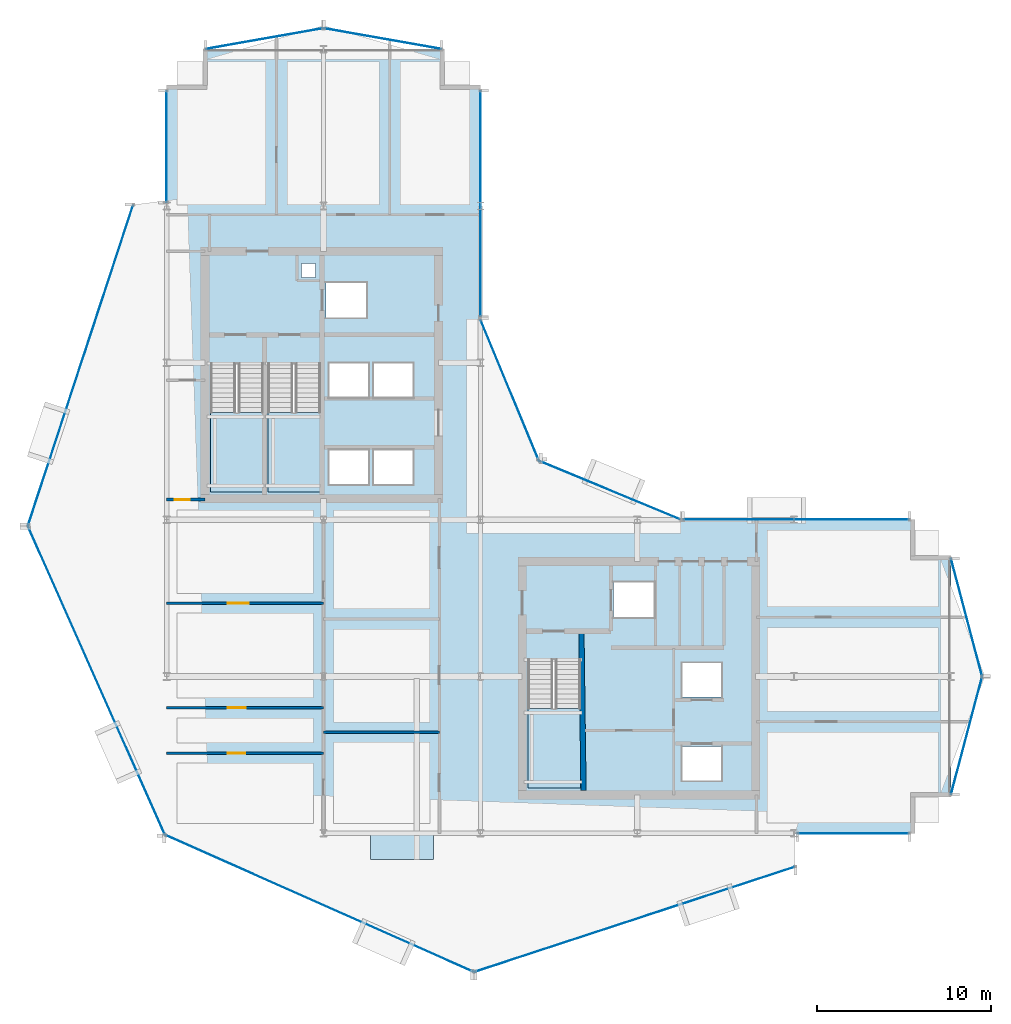
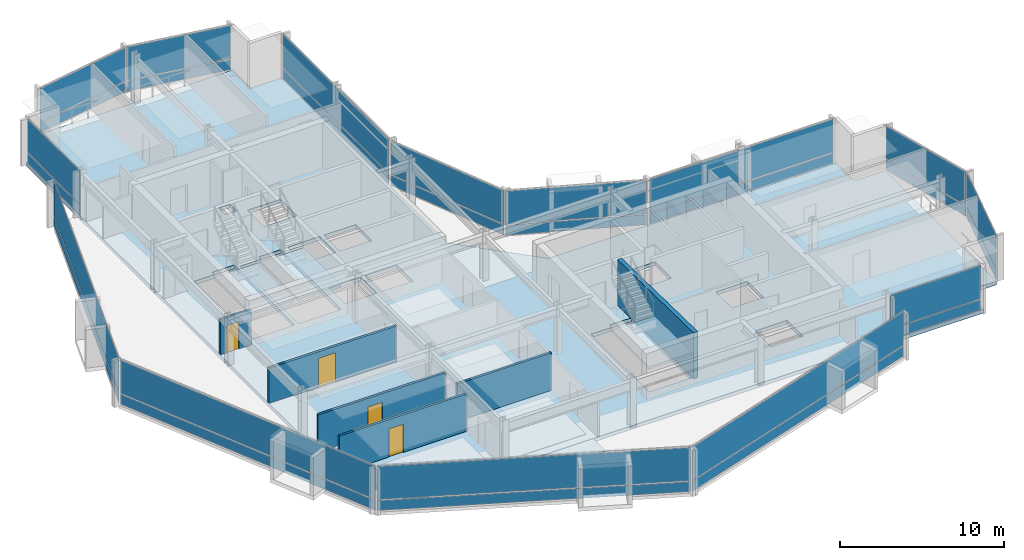
# One storey, part 21 of 29: 28 plates, 6 walls, 5 slabs, 4 doors, 4 openings, 17 elements without a shape of their own.
"""IFC4 building model written with IfcOpenShell, lengths in metres."""

import ifcopenshell
import ifcopenshell.guid

model = None  # the IFC model being written
_history = None  # IfcOwnerHistory: only IFC2X3 demands one
_inside = {}  # id of a spatial element -> (the spatial element, [elements in it])
_under = {}  # id of a project, library or spatial element -> (it, [spatial elements below it])
_declared = {}  # id of a project -> (the project, [libraries it declares])
_typed = {}  # id of a type object -> (the type object, [elements of that type])
_made_of = {}  # id of a material, layer set ... -> (it, [elements and type objects made of it])


def new_model(schema):
    """Start an empty IFC model of exactly this schema.

    Asked for "IFC4X3", IfcOpenShell would pick the latest addendum, in which some entities
    have other attributes; the version numbers below select the first issue.
    IFC2X3 requires an IfcOwnerHistory on every rooted entity: one is made here for all.
    """
    global model, _history
    if schema == "IFC4X3":
        model = ifcopenshell.file(schema_version=(4, 3, 0, 0))
    else:
        model = ifcopenshell.file(schema=schema)
    _inside.clear()
    _under.clear()
    _declared.clear()
    _typed.clear()
    _made_of.clear()
    _history = None
    if model.schema == "IFC2X3":
        org = make("IfcOrganization", Name="unknown")
        user = make(
            "IfcPersonAndOrganization",
            ThePerson=make("IfcPerson", FamilyName="unknown"),
            TheOrganization=org,
        )
        app = make(
            "IfcApplication",
            ApplicationDeveloper=org,
            Version="unknown",
            ApplicationFullName="unknown",
            ApplicationIdentifier="unknown",
        )
        _history = make(
            "IfcOwnerHistory",
            OwningUser=user,
            OwningApplication=app,
            ChangeAction="ADDED",
            CreationDate=0,
        )
    return model


def make(cls, **values):
    """One entity of the class cls with the attributes given. An attribute that is None is left unset."""
    return model.create_entity(
        cls, **{name: value for name, value in values.items() if value is not None}
    )


def rooted(cls, **values):
    """An entity with a GlobalId (a new one), such as an element, a storey or a relation."""
    return make(cls, GlobalId=ifcopenshell.guid.new(), OwnerHistory=_history, **values)


def si_unit(unit_type, name, prefix=None):
    """IfcSIUnit, for example si_unit("LENGTHUNIT", "METRE", prefix="MILLI")."""
    return make("IfcSIUnit", UnitType=unit_type, Prefix=prefix, Name=name)


def assignment(units):
    """IfcUnitAssignment: the units of a project."""
    return None if units is None else make("IfcUnitAssignment", Units=units)


def point(xyz):
    """IfcCartesianPoint."""
    return None if xyz is None else make("IfcCartesianPoint", Coordinates=xyz)


def direction(xyz):
    """IfcDirection."""
    return None if xyz is None else make("IfcDirection", DirectionRatios=xyz)


def frame(location, z_axis=None, x_axis=None):
    """IfcAxis2Placement3D, a coordinate frame: its origin and axes. An axis left out is left unset."""
    return make(
        "IfcAxis2Placement3D",
        Location=point(location),
        Axis=direction(z_axis),
        RefDirection=direction(x_axis),
    )


def frame_2d(location, x_axis=None):
    """IfcAxis2Placement2D, a coordinate frame in the plane: its origin and x axis."""
    return make(
        "IfcAxis2Placement2D", Location=point(location), RefDirection=direction(x_axis)
    )


def origin():
    """The frame at (0, 0, 0) with its axes left unset."""
    return frame((0.0, 0.0, 0.0))


def origin_2d():
    """The frame at (0, 0) in the plane with its x axis left unset."""
    return frame_2d((0.0, 0.0))


def place(relative_to, where):
    """IfcLocalPlacement: puts the frame where relative to a parent placement (None: the world)."""
    return make(
        "IfcLocalPlacement", PlacementRelTo=relative_to, RelativePlacement=where
    )


def context(
    kind, dimensions, precision=None, world=None, true_north=None, identifier=None
):
    """IfcGeometricRepresentationContext, for example the 3D "Model" context."""
    return make(
        "IfcGeometricRepresentationContext",
        ContextIdentifier=identifier,
        ContextType=kind,
        CoordinateSpaceDimension=dimensions,
        Precision=precision,
        WorldCoordinateSystem=world,
        TrueNorth=true_north,
    )


def subcontext(parent, identifier, kind, view, scale=None):
    """IfcGeometricRepresentationSubContext, for example "Body" below "Model"."""
    return make(
        "IfcGeometricRepresentationSubContext",
        ContextIdentifier=identifier,
        ContextType=kind,
        ParentContext=parent,
        TargetScale=scale,
        TargetView=view,
    )


def project(units=None, contexts=None):
    """IfcProject with its units and contexts."""
    return rooted(
        "IfcProject",
        Name="project",
        RepresentationContexts=contexts,
        UnitsInContext=assignment(units),
    )


def spatial(cls, under=None, at=None, **own):
    """A site, building, storey or space (cls), placed at a placement, below another one or the project."""
    s = rooted(cls, ObjectPlacement=at, **own)
    if under is not None:
        _under.setdefault(under.id(), (under, []))[1].append(s)
    return s


def polyline(points):
    """IfcPolyline through the points."""
    return make("IfcPolyline", Points=[point(p) for p in points])


def profile(cls, at=None, kind="AREA", **sizes):
    """A parametric profile (cls). Its sizes go by their IFC names, for example OverallWidth=200.0."""
    return make(cls, ProfileType=kind, Position=at, **sizes)


def rectangle(**sizes):
    """IfcRectangleProfileDef."""
    return profile("IfcRectangleProfileDef", **sizes)


def outline(outer, holes=None, kind="AREA"):
    """IfcArbitraryClosedProfileDef: a profile drawn as a closed curve; with holes, ...WithVoids."""
    if holes is None:
        return make("IfcArbitraryClosedProfileDef", ProfileType=kind, OuterCurve=outer)
    return make(
        "IfcArbitraryProfileDefWithVoids",
        ProfileType=kind,
        OuterCurve=outer,
        InnerCurves=holes,
    )


def extrude(swept, where, along, depth):
    """IfcExtrudedAreaSolid: the profile swept, set in the frame where, extruded along a direction by depth."""
    return make(
        "IfcExtrudedAreaSolid",
        SweptArea=swept,
        Position=where,
        ExtrudedDirection=direction(along),
        Depth=depth,
    )


def shape(context_of_items, identifier, shape_type, items):
    """IfcShapeRepresentation: the items that make up one representation, for example the "Body"."""
    return make(
        "IfcShapeRepresentation",
        ContextOfItems=context_of_items,
        RepresentationIdentifier=identifier,
        RepresentationType=shape_type,
        Items=items,
    )


def material(Name=None, Category=None):
    """IfcMaterial."""
    return make("IfcMaterial", Name=Name, Category=Category)


def layer(
    of_material, thickness, ventilated=None, Name=None, Category=None, Priority=None
):
    """IfcMaterialLayer: one layer of a wall or slab, of a material (None: an air gap)."""
    return make(
        "IfcMaterialLayer",
        Material=of_material,
        LayerThickness=thickness,
        IsVentilated=ventilated,
        Name=Name,
        Category=Category,
        Priority=Priority,
    )


def layer_set(layers, Name=None):
    """IfcMaterialLayerSet."""
    return make("IfcMaterialLayerSet", MaterialLayers=layers, LayerSetName=Name)


def made_of(thing, what):
    """Note that an element or type object is made of a material, layer set ...; save() writes the relation."""
    if what is not None:
        _made_of.setdefault(what.id(), (what, []))[1].append(thing)
    return thing


def type_object(cls, material=None, **own):
    """A type object (cls), such as IfcWallType, which elements share."""
    return made_of(rooted(cls, **own), material)


def element(
    cls,
    number,
    at=None,
    inside=None,
    cuts=None,
    type_object=None,
    material=None,
    context=None,
    identifier="Body",
    shape_type=None,
    held_by="IfcProductDefinitionShape",
    body=None,
    shapes=None,
    **own,
):
    """One element of the class cls, such as IfcWall. Its Tag is "e" and its number.

    at: its placement. inside: the storey or other place that contains it. cuts: it is an
    opening in that element (IfcRelVoidsElement). A single representation is given by context,
    identifier, shape_type and body (its items); several are given by shapes. held_by: the class
    of the entity that holds the representations. save() writes the other relations.
    """
    e = rooted(cls, Tag="e%d" % number, ObjectPlacement=at, **own)
    if body is not None:
        shapes = [shape(context, identifier, shape_type, body)]
    if shapes is not None:
        e.Representation = make(held_by, Representations=shapes)
    if inside is not None:
        _inside.setdefault(inside.id(), (inside, []))[1].append(e)
    if cuts is not None:
        rooted(
            "IfcRelVoidsElement", RelatingBuildingElement=cuts, RelatedOpeningElement=e
        )
    if type_object is not None:
        _typed.setdefault(type_object.id(), (type_object, []))[1].append(e)
    return made_of(e, material)


def fill(opening, filler):
    """IfcRelFillsElement: the door or window that sits in an opening."""
    return rooted(
        "IfcRelFillsElement",
        RelatingOpeningElement=opening,
        RelatedBuildingElement=filler,
    )


def aggregate(whole, parts):
    """IfcRelAggregates: a whole, such as a stair, and the parts it consists of."""
    return rooted("IfcRelAggregates", RelatingObject=whole, RelatedObjects=parts)


def save(model, path):
    """Write the relations noted so far, then the file.

    IfcRelAggregates (storeys below a building ...), IfcRelContainedInSpatialStructure (elements
    in a storey), IfcRelDefinesByType, IfcRelAssociatesMaterial and IfcRelDeclares: one each for
    every whole, place, type object, material and project.
    """
    for whole, parts in _under.values():
        aggregate(whole, parts)
    for where, things in _inside.values():
        rooted(
            "IfcRelContainedInSpatialStructure",
            RelatedElements=things,
            RelatingStructure=where,
        )
    for kind, things in _typed.values():
        rooted("IfcRelDefinesByType", RelatedObjects=things, RelatingType=kind)
    for what, things in _made_of.values():
        rooted("IfcRelAssociatesMaterial", RelatedObjects=things, RelatingMaterial=what)
    for by, libraries in _declared.values():
        rooted("IfcRelDeclares", RelatingContext=by, RelatedDefinitions=libraries)
    model.write(path)


model = new_model("IFC4")

# Units and contexts
model_context = context("Model", 3, precision=1e-05, world=origin(), true_north=direction((0.0, 1.0)))
body_context = subcontext(model_context, "Body", "Model", "MODEL_VIEW")
ifc_project = project(units=[si_unit("LENGTHUNIT", "METRE"), si_unit("AREAUNIT", "SQUARE_METRE"), si_unit("VOLUMEUNIT", "CUBIC_METRE"), si_unit("PLANEANGLEUNIT", "RADIAN"), si_unit("MASSUNIT", "GRAM", prefix="KILO")], contexts=[model_context])

# Site, building, storey
site_placement = place(None, origin())
site = spatial("IfcSite", under=ifc_project, at=site_placement, CompositionType="ELEMENT")
building_placement = place(site_placement, origin())
building = spatial("IfcBuilding", under=site, at=building_placement, Name="Solvaryn Broadcast Tower", CompositionType="ELEMENT")
storey_placement = place(building_placement, frame((0.0, 0.0, 161.800048828125)))
storey = spatial("IfcBuildingStorey", under=building, at=storey_placement, Name="L40", CompositionType="ELEMENT", Elevation=161.800048828125)

# Curtain wall, plates
ifc_material_1 = material(Name="Aluminium and Terracotta Unitised Curtain Wall", Category="masonry")
ifc_layer_1 = layer(ifc_material_1, 0.199951171875)
ifc_layer_set_1 = layer_set([ifc_layer_1], Name="CW-SYS2-LOWMID")
curtain_wall_type_1 = type_object("IfcCurtainWallType", Name="CW-SYS2-LOWMID", PredefinedType="NOTDEFINED", material=ifc_layer_set_1)
curtain_wall_1_placement = place(storey_placement, origin())
curtain_wall_1 = element("IfcCurtainWall", 1, at=curtain_wall_1_placement, inside=storey, type_object=curtain_wall_type_1, Name="L40 Curtain Wall DR1", PredefinedType="NOTDEFINED")
ifc_material_2 = material(Name="Kiln-Fired Architectural Terracotta Spandrel", Category="masonry")
ifc_layer_2 = layer(ifc_material_2, 0.048095703125)
ifc_layer_set_2 = layer_set([ifc_layer_2], Name="CW-PNL-TERRACOTTA")
plate_type = type_object("IfcPlateType", Name="CW-PNL-TERRACOTTA", PredefinedType="CURTAIN_PANEL", material=ifc_layer_set_2)
plate_1_placement = place(storey_placement, frame((4.056396484375, 35.8515625, 0.06005859375), z_axis=(0.0, 0.0, 1.0), x_axis=(-0.311646057547, -0.950198260794, 0.0)))
plate_1 = element("IfcPlate", 2, at=plate_1_placement, type_object=plate_type, Name="CWS2 panel 1.1", PredefinedType="CURTAIN_PANEL", context=body_context, shape_type="SweptSolid", body=[
    extrude(rectangle(XDim=19.277099609375, YDim=0.028076171875, at=origin_2d()), origin(), (0.0, 0.0, 1.0), 0.760009765625),
])
plate_2_placement = place(storey_placement, frame((4.056396484375, 35.8515625, 0.8798828125), z_axis=(0.0, 0.0, 1.0), x_axis=(-0.311646057547, -0.950198260794, 0.0)))
plate_2 = element("IfcPlate", 3, at=plate_2_placement, type_object=plate_type, Name="CWS2 panel 1.2", PredefinedType="CURTAIN_PANEL", context=body_context, shape_type="SweptSolid", body=[
    extrude(rectangle(XDim=19.277099609375, YDim=0.028076171875, at=origin_2d()), origin(), (0.0, 0.0, 1.0), 2.47998046875),
])
aggregate(curtain_wall_1, [plate_1, plate_2])

ifc_material_3 = material(Name="Aluminium and Terracotta Unitised Curtain Wall", Category="masonry")
ifc_layer_3 = layer(ifc_material_3, 0.239990234375)
ifc_layer_set_3 = layer_set([ifc_layer_3], Name="CW-SYS3-BAYBOX")
curtain_wall_type_2 = type_object("IfcCurtainWallType", Name="CW-SYS3-BAYBOX", PredefinedType="NOTDEFINED", material=ifc_layer_set_3)
curtain_wall_2_placement = place(storey_placement, origin())
curtain_wall_2 = element("IfcCurtainWall", 4, at=curtain_wall_2_placement, inside=storey, type_object=curtain_wall_type_2, Name="L40 Curtain Wall DR2", PredefinedType="NOTDEFINED")
plate_3_placement = place(storey_placement, frame((4.970947265625, 17.77197265625, 0.06005859375), z_axis=(0.0, 0.0, 1.0), x_axis=(0.405918429309, -0.913909311008, 0.0)))
plate_3 = element("IfcPlate", 5, at=plate_3_placement, type_object=plate_type, Name="CWS3 panel 1.1", PredefinedType="CURTAIN_PANEL", context=body_context, shape_type="SweptSolid", body=[
    extrude(rectangle(XDim=19.278076171875, YDim=0.028076171875, at=origin_2d()), origin(), (0.0, 0.0, 1.0), 0.760009765625),
])
plate_4_placement = place(storey_placement, frame((4.970947265625, 17.77197265625, 0.8798828125), z_axis=(0.0, 0.0, 1.0), x_axis=(0.405918429309, -0.913909311008, 0.0)))
plate_4 = element("IfcPlate", 6, at=plate_4_placement, type_object=plate_type, Name="CWS3 panel 1.2", PredefinedType="CURTAIN_PANEL", context=body_context, shape_type="SweptSolid", body=[
    extrude(rectangle(XDim=19.278076171875, YDim=0.028076171875, at=origin_2d()), origin(), (0.0, 0.0, 1.0), 2.47998046875),
])
aggregate(curtain_wall_2, [plate_3, plate_4])

curtain_wall_3_placement = place(storey_placement, origin())
curtain_wall_3 = element("IfcCurtainWall", 7, at=curtain_wall_3_placement, inside=storey, type_object=curtain_wall_type_1, Name="L40 Curtain Wall DR3", PredefinedType="NOTDEFINED")
plate_5_placement = place(storey_placement, frame((17.77197265625, 4.970947265625, 0.06005859375), z_axis=(0.0, 0.0, 1.0), x_axis=(0.913909311008, -0.405918429309, 0.0)))
plate_5 = element("IfcPlate", 8, at=plate_5_placement, type_object=plate_type, Name="CWS2 panel 1.1", PredefinedType="CURTAIN_PANEL", context=body_context, shape_type="SweptSolid", body=[
    extrude(rectangle(XDim=19.278076171875, YDim=0.028076171875, at=origin_2d()), origin(), (0.0, 0.0, 1.0), 0.760009765625),
])
plate_6_placement = place(storey_placement, frame((17.77197265625, 4.970947265625, 0.8798828125), z_axis=(0.0, 0.0, 1.0), x_axis=(0.913909311008, -0.405918429309, 0.0)))
plate_6 = element("IfcPlate", 9, at=plate_6_placement, type_object=plate_type, Name="CWS2 panel 1.2", PredefinedType="CURTAIN_PANEL", context=body_context, shape_type="SweptSolid", body=[
    extrude(rectangle(XDim=19.278076171875, YDim=0.028076171875, at=origin_2d()), origin(), (0.0, 0.0, 1.0), 2.47998046875),
])
aggregate(curtain_wall_3, [plate_5, plate_6])

curtain_wall_4_placement = place(storey_placement, origin())
curtain_wall_4 = element("IfcCurtainWall", 10, at=curtain_wall_4_placement, inside=storey, type_object=curtain_wall_type_1, Name="L40 Curtain Wall DR4", PredefinedType="NOTDEFINED")
plate_7_placement = place(storey_placement, frame((35.8515625, 4.056396484375, 0.06005859375), z_axis=(0.0, 0.0, 1.0), x_axis=(0.950198260794, 0.311646057547, 0.0)))
plate_7 = element("IfcPlate", 11, at=plate_7_placement, type_object=plate_type, Name="CWS2 panel 1.1", PredefinedType="CURTAIN_PANEL", context=body_context, shape_type="SweptSolid", body=[
    extrude(rectangle(XDim=19.277099609375, YDim=0.028076171875, at=origin_2d()), origin(), (0.0, 0.0, 1.0), 0.760009765625),
])
plate_8_placement = place(storey_placement, frame((35.8515625, 4.056396484375, 0.8798828125), z_axis=(0.0, 0.0, 1.0), x_axis=(0.950198260794, 0.311646057547, 0.0)))
plate_8 = element("IfcPlate", 12, at=plate_8_placement, type_object=plate_type, Name="CWS2 panel 1.2", PredefinedType="CURTAIN_PANEL", context=body_context, shape_type="SweptSolid", body=[
    extrude(rectangle(XDim=19.277099609375, YDim=0.028076171875, at=origin_2d()), origin(), (0.0, 0.0, 1.0), 2.47998046875),
])
aggregate(curtain_wall_4, [plate_7, plate_8])

curtain_wall_5_placement = place(storey_placement, origin())
curtain_wall_5 = element("IfcCurtainWall", 13, at=curtain_wall_5_placement, inside=storey, type_object=curtain_wall_type_1, Name="L40 Curtain Wall W2", PredefinedType="NOTDEFINED")
plate_9_placement = place(storey_placement, frame((9.0, 48.408447265625, 0.06005859375), z_axis=(0.0, 0.0, 1.0), x_axis=(0.0, 1.0, 0.0)))
plate_9 = element("IfcPlate", 14, at=plate_9_placement, type_object=plate_type, Name="CWS2 panel 1.1", PredefinedType="CURTAIN_PANEL", context=body_context, shape_type="SweptSolid", body=[
    extrude(rectangle(XDim=6.363037109375, YDim=0.028076171875, at=origin_2d()), origin(), (0.0, 0.0, 1.0), 0.760009765625),
])
plate_10_placement = place(storey_placement, frame((9.0, 48.408447265625, 0.8798828125), z_axis=(0.0, 0.0, 1.0), x_axis=(0.0, 1.0, 0.0)))
plate_10 = element("IfcPlate", 15, at=plate_10_placement, type_object=plate_type, Name="CWS2 panel 1.2", PredefinedType="CURTAIN_PANEL", context=body_context, shape_type="SweptSolid", body=[
    extrude(rectangle(XDim=6.363037109375, YDim=0.028076171875, at=origin_2d()), origin(), (0.0, 0.0, 1.0), 2.47998046875),
])
aggregate(curtain_wall_5, [plate_9, plate_10])

curtain_wall_6_placement = place(storey_placement, origin())
curtain_wall_6 = element("IfcCurtainWall", 16, at=curtain_wall_6_placement, inside=storey, type_object=curtain_wall_type_1, Name="L40 Curtain Wall IV", PredefinedType="NOTDEFINED")
plate_11_placement = place(storey_placement, frame((27.0, 45.125, 0.06005859375), z_axis=(0.0, 0.0, 1.0), x_axis=(0.0, -1.0, 0.0)))
plate_11 = element("IfcPlate", 17, at=plate_11_placement, type_object=plate_type, Name="CWS2 panel 1.1", PredefinedType="CURTAIN_PANEL", context=body_context, shape_type="SweptSolid", body=[
    extrude(rectangle(XDim=12.929931640625, YDim=0.028076171875, at=origin_2d()), origin(), (0.0, 0.0, 1.0), 0.760009765625),
])
plate_12_placement = place(storey_placement, frame((27.0, 45.125, 0.8798828125), z_axis=(0.0, 0.0, 1.0), x_axis=(0.0, -1.0, 0.0)))
plate_12 = element("IfcPlate", 18, at=plate_12_placement, type_object=plate_type, Name="CWS2 panel 1.2", PredefinedType="CURTAIN_PANEL", context=body_context, shape_type="SweptSolid", body=[
    extrude(rectangle(XDim=12.929931640625, YDim=0.028076171875, at=origin_2d()), origin(), (0.0, 0.0, 1.0), 2.47998046875),
])
aggregate(curtain_wall_6, [plate_11, plate_12])

curtain_wall_7_placement = place(storey_placement, origin())
curtain_wall_7 = element("IfcCurtainWall", 19, at=curtain_wall_7_placement, inside=storey, type_object=curtain_wall_type_1, Name="L40 Curtain Wall CN1", PredefinedType="NOTDEFINED")
plate_13_placement = place(storey_placement, frame((34.43408203125, 28.68408203125, 0.06005859375), z_axis=(0.0, 0.0, 1.0), x_axis=(-0.923894983957, 0.382646127145, 0.0)))
plate_13 = element("IfcPlate", 20, at=plate_13_placement, type_object=plate_type, Name="CWS2 panel 1.1", PredefinedType="CURTAIN_PANEL", context=body_context, shape_type="SweptSolid", body=[
    extrude(rectangle(XDim=8.681884765625, YDim=0.028076171875, at=origin_2d()), origin(), (0.0, 0.0, 1.0), 0.760009765625),
])
plate_14_placement = place(storey_placement, frame((34.43408203125, 28.68408203125, 0.8798828125), z_axis=(0.0, 0.0, 1.0), x_axis=(-0.923894983957, 0.382646127145, 0.0)))
plate_14 = element("IfcPlate", 21, at=plate_14_placement, type_object=plate_type, Name="CWS2 panel 1.2", PredefinedType="CURTAIN_PANEL", context=body_context, shape_type="SweptSolid", body=[
    extrude(rectangle(XDim=8.681884765625, YDim=0.028076171875, at=origin_2d()), origin(), (0.0, 0.0, 1.0), 2.47998046875),
])
aggregate(curtain_wall_7, [plate_13, plate_14])

curtain_wall_8_placement = place(storey_placement, origin())
curtain_wall_8 = element("IfcCurtainWall", 22, at=curtain_wall_8_placement, inside=storey, type_object=curtain_wall_type_1, Name="L40 Curtain Wall CN2", PredefinedType="NOTDEFINED")
plate_15_placement = place(storey_placement, frame((28.68408203125, 34.43408203125, 0.06005859375), z_axis=(0.0, 0.0, 1.0), x_axis=(-0.382646127145, 0.923894983957, 0.0)))
plate_15 = element("IfcPlate", 23, at=plate_15_placement, type_object=plate_type, Name="CWS2 panel 1.1", PredefinedType="CURTAIN_PANEL", context=body_context, shape_type="SweptSolid", body=[
    extrude(rectangle(XDim=8.681884765625, YDim=0.028076171875, at=origin_2d()), origin(), (0.0, 0.0, 1.0), 0.760009765625),
])
plate_16_placement = place(storey_placement, frame((28.68408203125, 34.43408203125, 0.8798828125), z_axis=(0.0, 0.0, 1.0), x_axis=(-0.382646127145, 0.923894983957, 0.0)))
plate_16 = element("IfcPlate", 24, at=plate_16_placement, type_object=plate_type, Name="CWS2 panel 1.2", PredefinedType="CURTAIN_PANEL", context=body_context, shape_type="SweptSolid", body=[
    extrude(rectangle(XDim=8.681884765625, YDim=0.028076171875, at=origin_2d()), origin(), (0.0, 0.0, 1.0), 2.47998046875),
])
aggregate(curtain_wall_8, [plate_15, plate_16])

curtain_wall_9_placement = place(storey_placement, origin())
curtain_wall_9 = element("IfcCurtainWall", 25, at=curtain_wall_9_placement, inside=storey, type_object=curtain_wall_type_1, Name="L40 Curtain Wall S2", PredefinedType="NOTDEFINED")
plate_17_placement = place(storey_placement, frame((48.408447265625, 9.0, 0.06005859375), z_axis=(0.0, 0.0, 1.0), x_axis=(1.0, 0.0, 0.0)))
plate_17 = element("IfcPlate", 26, at=plate_17_placement, type_object=plate_type, Name="CWS2 panel 1.1", PredefinedType="CURTAIN_PANEL", context=body_context, shape_type="SweptSolid", body=[
    extrude(rectangle(XDim=6.363037109375, YDim=0.028076171875, at=origin_2d()), origin(), (0.0, 0.0, 1.0), 0.760009765625),
])
plate_18_placement = place(storey_placement, frame((48.408447265625, 9.0, 0.8798828125), z_axis=(0.0, 0.0, 1.0), x_axis=(1.0, 0.0, 0.0)))
plate_18 = element("IfcPlate", 27, at=plate_18_placement, type_object=plate_type, Name="CWS2 panel 1.2", PredefinedType="CURTAIN_PANEL", context=body_context, shape_type="SweptSolid", body=[
    extrude(rectangle(XDim=6.363037109375, YDim=0.028076171875, at=origin_2d()), origin(), (0.0, 0.0, 1.0), 2.47998046875),
])
aggregate(curtain_wall_9, [plate_17, plate_18])

curtain_wall_10_placement = place(storey_placement, origin())
curtain_wall_10 = element("IfcCurtainWall", 28, at=curtain_wall_10_placement, inside=storey, type_object=curtain_wall_type_1, Name="L40 Curtain Wall NT1", PredefinedType="NOTDEFINED")
plate_19_placement = place(storey_placement, frame((21.39990234375, 54.60009765625, 0.06005859375), z_axis=(0.0, 0.0, 1.0), x_axis=(-0.984783558819, 0.173785333901, 0.0)))
plate_19 = element("IfcPlate", 29, at=plate_19_placement, type_object=plate_type, Name="CWS2 panel 1.1", PredefinedType="CURTAIN_PANEL", context=body_context, shape_type="SweptSolid", body=[
    extrude(rectangle(XDim=6.78515625, YDim=0.028076171875, at=origin_2d()), origin(), (0.0, 0.0, 1.0), 0.760009765625),
])
plate_20_placement = place(storey_placement, frame((21.39990234375, 54.60009765625, 0.8798828125), z_axis=(0.0, 0.0, 1.0), x_axis=(-0.984783558819, 0.173785333901, 0.0)))
plate_20 = element("IfcPlate", 30, at=plate_20_placement, type_object=plate_type, Name="CWS2 panel 1.2", PredefinedType="CURTAIN_PANEL", context=body_context, shape_type="SweptSolid", body=[
    extrude(rectangle(XDim=6.78515625, YDim=0.028076171875, at=origin_2d()), origin(), (0.0, 0.0, 1.0), 2.47998046875),
])
aggregate(curtain_wall_10, [plate_19, plate_20])

curtain_wall_11_placement = place(storey_placement, origin())
curtain_wall_11 = element("IfcCurtainWall", 31, at=curtain_wall_11_placement, inside=storey, type_object=curtain_wall_type_1, Name="L40 Curtain Wall NT2", PredefinedType="NOTDEFINED")
plate_21_placement = place(storey_placement, frame((14.60009765625, 54.60009765625, 0.06005859375), z_axis=(0.0, 0.0, 1.0), x_axis=(-0.984783558819, -0.173785333901, 0.0)))
plate_21 = element("IfcPlate", 32, at=plate_21_placement, type_object=plate_type, Name="CWS2 panel 1.1", PredefinedType="CURTAIN_PANEL", context=body_context, shape_type="SweptSolid", body=[
    extrude(rectangle(XDim=6.78515625, YDim=0.028076171875, at=origin_2d()), origin(), (0.0, 0.0, 1.0), 0.760009765625),
])
plate_22_placement = place(storey_placement, frame((14.60009765625, 54.60009765625, 0.8798828125), z_axis=(0.0, 0.0, 1.0), x_axis=(-0.984783558819, -0.173785333901, 0.0)))
plate_22 = element("IfcPlate", 33, at=plate_22_placement, type_object=plate_type, Name="CWS2 panel 1.2", PredefinedType="CURTAIN_PANEL", context=body_context, shape_type="SweptSolid", body=[
    extrude(rectangle(XDim=6.78515625, YDim=0.028076171875, at=origin_2d()), origin(), (0.0, 0.0, 1.0), 2.47998046875),
])
aggregate(curtain_wall_11, [plate_21, plate_22])

curtain_wall_12_placement = place(storey_placement, origin())
curtain_wall_12 = element("IfcCurtainWall", 34, at=curtain_wall_12_placement, inside=storey, type_object=curtain_wall_type_1, Name="L40 Curtain Wall ET1", PredefinedType="NOTDEFINED")
plate_23_placement = place(storey_placement, frame((54.89990234375, 21.39990234375, 0.06005859375), z_axis=(0.0, 0.0, 1.0), x_axis=(0.25589256031, -0.966705227863, 0.0)))
plate_23 = element("IfcPlate", 35, at=plate_23_placement, type_object=plate_type, Name="CWS2 panel 1.1", PredefinedType="CURTAIN_PANEL", context=body_context, shape_type="SweptSolid", body=[
    extrude(rectangle(XDim=6.914306640625, YDim=0.028076171875, at=origin_2d()), origin(), (0.0, 0.0, 1.0), 0.760009765625),
])
plate_24_placement = place(storey_placement, frame((54.89990234375, 21.39990234375, 0.8798828125), z_axis=(0.0, 0.0, 1.0), x_axis=(0.25589256031, -0.966705227863, 0.0)))
plate_24 = element("IfcPlate", 36, at=plate_24_placement, type_object=plate_type, Name="CWS2 panel 1.2", PredefinedType="CURTAIN_PANEL", context=body_context, shape_type="SweptSolid", body=[
    extrude(rectangle(XDim=6.914306640625, YDim=0.028076171875, at=origin_2d()), origin(), (0.0, 0.0, 1.0), 2.47998046875),
])
aggregate(curtain_wall_12, [plate_23, plate_24])

curtain_wall_13_placement = place(storey_placement, origin())
curtain_wall_13 = element("IfcCurtainWall", 37, at=curtain_wall_13_placement, inside=storey, type_object=curtain_wall_type_1, Name="L40 Curtain Wall ET2", PredefinedType="NOTDEFINED")
plate_25_placement = place(storey_placement, frame((54.89990234375, 14.60009765625, 0.06005859375), z_axis=(0.0, 0.0, 1.0), x_axis=(-0.25589256031, -0.966705227863, 0.0)))
plate_25 = element("IfcPlate", 38, at=plate_25_placement, type_object=plate_type, Name="CWS2 panel 1.1", PredefinedType="CURTAIN_PANEL", context=body_context, shape_type="SweptSolid", body=[
    extrude(rectangle(XDim=6.914306640625, YDim=0.028076171875, at=origin_2d()), origin(), (0.0, 0.0, 1.0), 0.760009765625),
])
plate_26_placement = place(storey_placement, frame((54.89990234375, 14.60009765625, 0.8798828125), z_axis=(0.0, 0.0, 1.0), x_axis=(-0.25589256031, -0.966705227863, 0.0)))
plate_26 = element("IfcPlate", 39, at=plate_26_placement, type_object=plate_type, Name="CWS2 panel 1.2", PredefinedType="CURTAIN_PANEL", context=body_context, shape_type="SweptSolid", body=[
    extrude(rectangle(XDim=6.914306640625, YDim=0.028076171875, at=origin_2d()), origin(), (0.0, 0.0, 1.0), 2.47998046875),
])
aggregate(curtain_wall_13, [plate_25, plate_26])

curtain_wall_14_placement = place(storey_placement, origin())
curtain_wall_14 = element("IfcCurtainWall", 40, at=curtain_wall_14_placement, inside=storey, type_object=curtain_wall_type_1, Name="L40 Curtain Wall IH", PredefinedType="NOTDEFINED")
plate_27_placement = place(storey_placement, frame((45.125, 27.0, 0.06005859375), z_axis=(0.0, 0.0, 1.0), x_axis=(1.0, 0.0, 0.0)))
plate_27 = element("IfcPlate", 41, at=plate_27_placement, type_object=plate_type, Name="CWS2 panel 1.1", PredefinedType="CURTAIN_PANEL", context=body_context, shape_type="SweptSolid", body=[
    extrude(rectangle(XDim=12.929931640625, YDim=0.028076171875, at=origin_2d()), origin(), (0.0, 0.0, 1.0), 0.760009765625),
])
plate_28_placement = place(storey_placement, frame((45.125, 27.0, 0.8798828125), z_axis=(0.0, 0.0, 1.0), x_axis=(1.0, 0.0, 0.0)))
plate_28 = element("IfcPlate", 42, at=plate_28_placement, type_object=plate_type, Name="CWS2 panel 1.2", PredefinedType="CURTAIN_PANEL", context=body_context, shape_type="SweptSolid", body=[
    extrude(rectangle(XDim=12.929931640625, YDim=0.028076171875, at=origin_2d()), origin(), (0.0, 0.0, 1.0), 2.47998046875),
])
aggregate(curtain_wall_14, [plate_27, plate_28])

# Slab
ifc_material_4 = material(Name="Concrete f'c 60 MPa", Category="concrete")
ifc_layer_4 = layer(ifc_material_4, 0.2099609375)
ifc_layer_set_4 = layer_set([ifc_layer_4], Name="SL-BAYBOX-210")
slab_type_1 = type_object("IfcSlabType", Name="SL-BAYBOX-210", PredefinedType="FLOOR", material=ifc_layer_set_4)
slab_1_placement = place(storey_placement, frame((0.0, 0.0, -0.2099609375)))
element("IfcSlab", 43, at=slab_1_placement, inside=storey, type_object=slab_type_1, Name="L40 Projecting Bay-Box Slab 1", PredefinedType="FLOOR", context=body_context, shape_type="SweptSolid", body=[
    extrude(outline(polyline([(20.699951171875, 7.5), (24.300048828125, 7.5), (24.300048828125, 9.0), (20.699951171875, 9.0), (20.699951171875, 7.5)])), origin(), (0.0, 0.0, 1.0), 0.2099609375),
])

# Stair, slab
ifc_material_5 = material(Name="Concrete f'c 60 MPa", Category="concrete")
stair_type = type_object("IfcStairType", Name="ST-CORE", PredefinedType="HALF_TURN_STAIR", material=ifc_material_5)
stair_1_placement = place(storey_placement, origin())
stair_1 = element("IfcStair", 44, at=stair_1_placement, inside=storey, type_object=stair_type, Name="L40 ST1", PredefinedType="HALF_TURN_STAIR")
ifc_material_6 = material(Name="Concrete f'c 60 MPa", Category="concrete")
ifc_layer_5 = layer(ifc_material_6, 0.199951171875)
ifc_layer_set_5 = layer_set([ifc_layer_5], Name="SL-LANDING-200")
slab_type_2 = type_object("IfcSlabType", Name="SL-LANDING-200", PredefinedType="LANDING", material=ifc_layer_set_5)
slab_2_placement = place(storey_placement, frame((0.0, 0.0, 1.64990234375)))
slab_2 = element("IfcSlab", 45, at=slab_2_placement, type_object=slab_type_2, Name="ST1 landing 1", PredefinedType="LANDING", context=body_context, shape_type="SweptSolid", body=[
    extrude(outline(polyline([(11.52001953125, 33.159912109375), (11.52001953125, 28.60009765625), (14.550048828125, 28.60009765625), (14.550048828125, 33.159912109375), (11.52001953125, 33.159912109375)])), origin(), (0.0, 0.0, 1.0), 0.199951171875),
])
aggregate(stair_1, [slab_2])

stair_2_placement = place(storey_placement, origin())
stair_2 = element("IfcStair", 46, at=stair_2_placement, inside=storey, type_object=stair_type, Name="L40 ST2", PredefinedType="HALF_TURN_STAIR")
slab_3_placement = place(storey_placement, frame((0.0, 0.0, 1.64990234375)))
slab_3 = element("IfcSlab", 47, at=slab_3_placement, type_object=slab_type_2, Name="ST2 landing 1", PredefinedType="LANDING", context=body_context, shape_type="SweptSolid", body=[
    extrude(outline(polyline([(14.800048828125, 33.159912109375), (14.800048828125, 28.60009765625), (17.830078125, 28.60009765625), (17.830078125, 33.159912109375), (14.800048828125, 33.159912109375)])), origin(), (0.0, 0.0, 1.0), 0.199951171875),
])
aggregate(stair_2, [slab_3])

stair_3_placement = place(storey_placement, origin())
stair_3 = element("IfcStair", 48, at=stair_3_placement, inside=storey, type_object=stair_type, Name="L40 ST3", PredefinedType="HALF_TURN_STAIR")
slab_4_placement = place(storey_placement, frame((0.0, 0.0, 1.64990234375)))
slab_4 = element("IfcSlab", 49, at=slab_4_placement, type_object=slab_type_2, Name="ST3 landing 1", PredefinedType="LANDING", context=body_context, shape_type="SweptSolid", body=[
    extrude(outline(polyline([(29.719970703125, 16.159912109375), (29.719970703125, 11.60009765625), (32.75, 11.60009765625), (32.75, 16.159912109375), (29.719970703125, 16.159912109375)])), origin(), (0.0, 0.0, 1.0), 0.199951171875),
])
aggregate(stair_3, [slab_4])

# Slab
ifc_material_7 = material(Name="Concrete f'c 60 MPa", Category="concrete")
ifc_layer_6 = layer(ifc_material_7, 0.280029296875)
ifc_layer_set_6 = layer_set([ifc_layer_6], Name="SL-TWR-280")
slab_type_3 = type_object("IfcSlabType", Name="SL-TWR-280", PredefinedType="FLOOR", material=ifc_layer_set_6)
slab_5_placement = place(storey_placement, frame((0.0, 0.0, -0.280029296875)))
element("IfcSlab", 50, at=slab_5_placement, inside=storey, type_object=slab_type_3, Name="L40 Structural Floor Slab", PredefinedType="FLOOR", context=body_context, shape_type="SweptSolid", body=[
    extrude(outline(polyline([(11.199951171875, 9.0), (51.800048828125, 9.0), (51.800048828125, 11.199951171875), (54.0, 11.199951171875), (54.0, 24.800048828125), (51.800048828125, 24.800048828125), (51.800048828125, 27.0), (31.5, 27.0), (27.0, 31.5), (27.0, 51.800048828125), (24.800048828125, 51.800048828125), (24.800048828125, 54.0), (11.199951171875, 54.0), (11.199951171875, 51.800048828125), (9.0, 51.800048828125), (9.0, 11.199951171875), (11.199951171875, 11.199951171875), (11.199951171875, 9.0)]), holes=[polyline([(11.52001953125, 28.60009765625), (14.550048828125, 28.60009765625), (14.550048828125, 35.9599609375), (12.97998046875, 35.9599609375), (12.97998046875, 35.679931640625), (11.52001953125, 35.679931640625), (11.52001953125, 28.60009765625)]), polyline([(14.800048828125, 28.60009765625), (17.830078125, 28.60009765625), (17.830078125, 35.9599609375), (16.260009765625, 35.9599609375), (16.260009765625, 35.679931640625), (14.800048828125, 35.679931640625), (14.800048828125, 28.60009765625)]), polyline([(29.719970703125, 11.60009765625), (32.75, 11.60009765625), (32.75, 18.9599609375), (31.179931640625, 18.9599609375), (31.179931640625, 18.679931640625), (29.719970703125, 18.679931640625), (29.719970703125, 11.60009765625)]), polyline([(18.14990234375, 38.60009765625), (20.449951171875, 38.60009765625), (20.449951171875, 40.60009765625), (18.14990234375, 40.60009765625), (18.14990234375, 38.60009765625)]), polyline([(18.324951171875, 29.02490234375), (20.574951171875, 29.02490234375), (20.574951171875, 30.97509765625), (18.324951171875, 30.97509765625), (18.324951171875, 29.02490234375)]), polyline([(20.875, 29.02490234375), (23.125, 29.02490234375), (23.125, 30.97509765625), (20.875, 30.97509765625), (20.875, 29.02490234375)]), polyline([(18.324951171875, 34.02490234375), (20.574951171875, 34.02490234375), (20.574951171875, 35.97509765625), (18.324951171875, 35.97509765625), (18.324951171875, 34.02490234375)]), polyline([(20.875, 34.02490234375), (23.125, 34.02490234375), (23.125, 35.97509765625), (20.875, 35.97509765625), (20.875, 34.02490234375)]), polyline([(34.64990234375, 21.39990234375), (36.949951171875, 21.39990234375), (36.949951171875, 23.39990234375), (34.64990234375, 23.39990234375), (34.64990234375, 21.39990234375)]), polyline([(38.574951171875, 12.02490234375), (40.824951171875, 12.02490234375), (40.824951171875, 13.97509765625), (38.574951171875, 13.97509765625), (38.574951171875, 12.02490234375)]), polyline([(38.574951171875, 16.824951171875), (40.824951171875, 16.824951171875), (40.824951171875, 18.77490234375), (38.574951171875, 18.77490234375), (38.574951171875, 16.824951171875)]), polyline([(16.75, 40.89990234375), (17.550048828125, 40.89990234375), (17.550048828125, 41.699951171875), (16.75, 41.699951171875), (16.75, 40.89990234375)])]), origin(), (0.0, 0.0, 1.0), 0.280029296875),
])

# Wall, opening, door
ifc_material_8 = material(Name="Metal-Stud Gypsum Office Partition")
ifc_layer_7 = layer(ifc_material_8, 0.159912109375)
ifc_layer_set_7 = layer_set([ifc_layer_7], Name="IW-PART-160")
wall_type_1 = type_object("IfcWallType", Name="IW-PART-160", PredefinedType="PARTITIONING", material=ifc_layer_set_7)
wall_1_placement = place(storey_placement, frame((9.0, 28.14990234375, 0.0), z_axis=(0.0, 0.0, 1.0), x_axis=(1.0, 0.0, 0.0)))
wall_1 = element("IfcWall", 51, at=wall_1_placement, inside=storey, type_object=wall_type_1, Name="L40 Interior Partition IW-L40-WM-S", PredefinedType="PARTITIONING", context=body_context, shape_type="SweptSolid", body=[
    extrude(rectangle(XDim=2.199951171875, YDim=0.159912109375, at=frame_2d((1.10009765625, 0.0))), origin(), (0.0, 0.0, 1.0), 2.634033203125),
])
opening_1_placement = place(wall_1_placement, frame((0.449951171875, 0.0, 0.0)))
opening_1 = element("IfcOpeningElement", 52, at=opening_1_placement, cuts=wall_1, Name="Opening ID07", PredefinedType="OPENING", context=body_context, shape_type="SweptSolid", body=[
    extrude(rectangle(XDim=0.860107421875, YDim=2.050048828125, at=frame_2d((0.43017578125, 1.02490234375))), frame((0.0, 0.090087890625, 0.0), z_axis=(0.0, -1.0, 0.0), x_axis=(1.0, 0.0, 0.0)), (0.0, 0.0, 1.0), 0.179931640625),
])
ifc_material_9 = material(Name="Flush Acoustic Steel and Timber Door Assembly", Category="steel")
door_type_1 = type_object("IfcDoorType", Name="ID-07-860X2050", OperationType="NOTDEFINED", PredefinedType="DOOR", material=ifc_material_9)
door_1_placement = place(opening_1_placement, origin())
door_1 = element("IfcDoor", 53, at=door_1_placement, inside=storey, type_object=door_type_1, Name="L40 Door DR-L40-WM0", OperationType="SINGLE_SWING_RIGHT", OverallHeight=2.050048828125, OverallWidth=0.860107421875, PredefinedType="DOOR", context=body_context, shape_type="SweptSolid", body=[
    extrude(rectangle(XDim=0.860107421875, YDim=2.050048828125, at=frame_2d((0.43017578125, 1.02490234375))), frame((0.0, 0.02490234375, 0.0), z_axis=(0.0, -1.0, 0.0), x_axis=(1.0, 0.0, 0.0)), (0.0, 0.0, 1.0), 0.050048828125),
])
fill(opening_1, door_1)

# Wall
wall_2_placement = place(storey_placement, frame((18.0, 14.800048828125, 0.0), z_axis=(0.0, 0.0, 1.0), x_axis=(1.0, 0.0, 0.0)))
element("IfcWall", 54, at=wall_2_placement, inside=storey, type_object=wall_type_1, Name="L40 Interior Partition IW-L40-SWE-H1", PredefinedType="PARTITIONING", context=body_context, shape_type="SweptSolid", body=[
    extrude(rectangle(XDim=6.64990234375, YDim=0.159912109375, at=frame_2d((3.324951171875, 0.0))), origin(), (0.0, 0.0, 1.0), 2.7919921875),
])

# Wall, opening, door
wall_3_placement = place(storey_placement, frame((9.0, 13.60009765625, 0.0), z_axis=(0.0, 0.0, 1.0), x_axis=(1.0, 0.0, 0.0)))
wall_3 = element("IfcWall", 55, at=wall_3_placement, inside=storey, type_object=wall_type_1, Name="L40 Interior Partition IW-L40-SWW-H1", PredefinedType="PARTITIONING", context=body_context, shape_type="SweptSolid", body=[
    extrude(rectangle(XDim=9.0, YDim=0.159912109375, at=frame_2d((4.5, 0.0))), origin(), (0.0, 0.0, 1.0), 2.7919921875),
])
opening_2_placement = place(wall_3_placement, frame((3.5, 0.0, 0.0)))
opening_2 = element("IfcOpeningElement", 56, at=opening_2_placement, cuts=wall_3, Name="Opening ID02", PredefinedType="OPENING", context=body_context, shape_type="SweptSolid", body=[
    extrude(rectangle(XDim=1.0, YDim=2.10009765625, at=frame_2d((0.5, 1.050048828125))), frame((0.0, 0.090087890625, 0.0), z_axis=(0.0, -1.0, 0.0), x_axis=(1.0, 0.0, 0.0)), (0.0, 0.0, 1.0), 0.179931640625),
])
ifc_material_10 = material(Name="Flush Acoustic Steel and Timber Door Assembly", Category="steel")
door_type_2 = type_object("IfcDoorType", Name="ID-02-1000X2100", OperationType="NOTDEFINED", PredefinedType="DOOR", material=ifc_material_10)
door_2_placement = place(opening_2_placement, origin())
door_2 = element("IfcDoor", 57, at=door_2_placement, inside=storey, type_object=door_type_2, Name="L40 Door DR-L40-SWW-1", OperationType="SINGLE_SWING_LEFT", OverallHeight=2.10009765625, OverallWidth=1.0, PredefinedType="DOOR", context=body_context, shape_type="SweptSolid", body=[
    extrude(rectangle(XDim=1.0, YDim=2.10009765625, at=frame_2d((0.5, 1.050048828125))), frame((0.0, 0.02490234375, 0.0), z_axis=(0.0, -1.0, 0.0), x_axis=(1.0, 0.0, 0.0)), (0.0, 0.0, 1.0), 0.050048828125),
])
fill(opening_2, door_2)

wall_4_placement = place(storey_placement, frame((9.0, 16.199951171875, 0.0), z_axis=(0.0, 0.0, 1.0), x_axis=(1.0, 0.0, 0.0)))
wall_4 = element("IfcWall", 58, at=wall_4_placement, inside=storey, type_object=wall_type_1, Name="L40 Interior Partition IW-L40-SWW-H2", PredefinedType="PARTITIONING", context=body_context, shape_type="SweptSolid", body=[
    extrude(rectangle(XDim=9.0, YDim=0.159912109375, at=frame_2d((4.5, 0.0))), origin(), (0.0, 0.0, 1.0), 2.7919921875),
])
opening_3_placement = place(wall_4_placement, frame((3.5, 0.0, 0.0)))
opening_3 = element("IfcOpeningElement", 59, at=opening_3_placement, cuts=wall_4, Name="Opening ID03", PredefinedType="OPENING", context=body_context, shape_type="SweptSolid", body=[
    extrude(rectangle(XDim=1.050048828125, YDim=2.14990234375, at=frame_2d((0.52490234375, 1.074951171875))), frame((0.0, 0.090087890625, 0.0), z_axis=(0.0, -1.0, 0.0), x_axis=(1.0, 0.0, 0.0)), (0.0, 0.0, 1.0), 0.179931640625),
])
ifc_material_11 = material(Name="Flush Acoustic Steel and Timber Door Assembly", Category="steel")
door_type_3 = type_object("IfcDoorType", Name="ID-03-1050X2150", OperationType="NOTDEFINED", PredefinedType="DOOR", material=ifc_material_11)
door_3_placement = place(opening_3_placement, origin())
door_3 = element("IfcDoor", 60, at=door_3_placement, inside=storey, type_object=door_type_3, Name="L40 Door DR-L40-SWW-2", OperationType="SINGLE_SWING_RIGHT", OverallHeight=2.14990234375, OverallWidth=1.050048828125, PredefinedType="DOOR", context=body_context, shape_type="SweptSolid", body=[
    extrude(rectangle(XDim=1.050048828125, YDim=2.14990234375, at=frame_2d((0.52490234375, 1.074951171875))), frame((0.0, 0.02490234375, 0.0), z_axis=(0.0, -1.0, 0.0), x_axis=(1.0, 0.0, 0.0)), (0.0, 0.0, 1.0), 0.050048828125),
])
fill(opening_3, door_3)

wall_5_placement = place(storey_placement, frame((9.0, 22.199951171875, 0.0), z_axis=(0.0, 0.0, 1.0), x_axis=(1.0, 0.0, 0.0)))
wall_5 = element("IfcWall", 61, at=wall_5_placement, inside=storey, type_object=wall_type_1, Name="L40 Interior Partition IW-L40-SWW-H3", PredefinedType="PARTITIONING", context=body_context, shape_type="SweptSolid", body=[
    extrude(rectangle(XDim=9.0, YDim=0.159912109375, at=frame_2d((4.5, 0.0))), origin(), (0.0, 0.0, 1.0), 2.634033203125),
])
opening_4_placement = place(wall_5_placement, frame((3.5, 0.0, 0.0)))
opening_4 = element("IfcOpeningElement", 62, at=opening_4_placement, cuts=wall_5, Name="Opening ID04", PredefinedType="OPENING", context=body_context, shape_type="SweptSolid", body=[
    extrude(rectangle(XDim=1.199951171875, YDim=2.14990234375, at=frame_2d((0.60009765625, 1.074951171875))), frame((0.0, 0.090087890625, 0.0), z_axis=(0.0, -1.0, 0.0), x_axis=(1.0, 0.0, 0.0)), (0.0, 0.0, 1.0), 0.179931640625),
])
ifc_material_12 = material(Name="Flush Acoustic Steel and Timber Door Assembly", Category="steel")
door_type_4 = type_object("IfcDoorType", Name="ID-04-1200X2150", OperationType="NOTDEFINED", PredefinedType="DOOR", material=ifc_material_12)
door_4_placement = place(opening_4_placement, origin())
door_4 = element("IfcDoor", 63, at=door_4_placement, inside=storey, type_object=door_type_4, Name="L40 Door DR-L40-SWW-3", OperationType="SINGLE_SWING_LEFT", OverallHeight=2.14990234375, OverallWidth=1.199951171875, PredefinedType="DOOR", context=body_context, shape_type="SweptSolid", body=[
    extrude(rectangle(XDim=1.199951171875, YDim=2.14990234375, at=frame_2d((0.60009765625, 1.074951171875))), frame((0.0, 0.02490234375, 0.0), z_axis=(0.0, -1.0, 0.0), x_axis=(1.0, 0.0, 0.0)), (0.0, 0.0, 1.0), 0.050048828125),
])
fill(opening_4, door_4)

# Wall
ifc_material_13 = material(Name="Concrete f'c 70 MPa", Category="concrete")
ifc_layer_8 = layer(ifc_material_13, 0.300048828125)
ifc_layer_set_8 = layer_set([ifc_layer_8], Name="SW-SHAFT-300")
wall_type_2 = type_object("IfcWallType", Name="SW-SHAFT-300", PredefinedType="SHEAR", material=ifc_layer_set_8)
wall_6_placement = place(storey_placement, frame((32.919921875, 11.449951171875, 0.0), z_axis=(0.0, 0.0, 1.0), x_axis=(-0.013171578211, 0.999913251001, 0.0)))
element("IfcWall", 64, at=wall_6_placement, inside=storey, type_object=wall_type_2, Name="L40 Stair 3 East Shear Wall", PredefinedType="SHEAR", context=body_context, shape_type="SweptSolid", body=[
    extrude(rectangle(XDim=9.100830078125, YDim=0.300048828125, at=frame_2d((4.55029296875, 0.0))), origin(), (0.0, 0.0, 1.0), 3.419921875),
])

save(model, "model.ifc")
